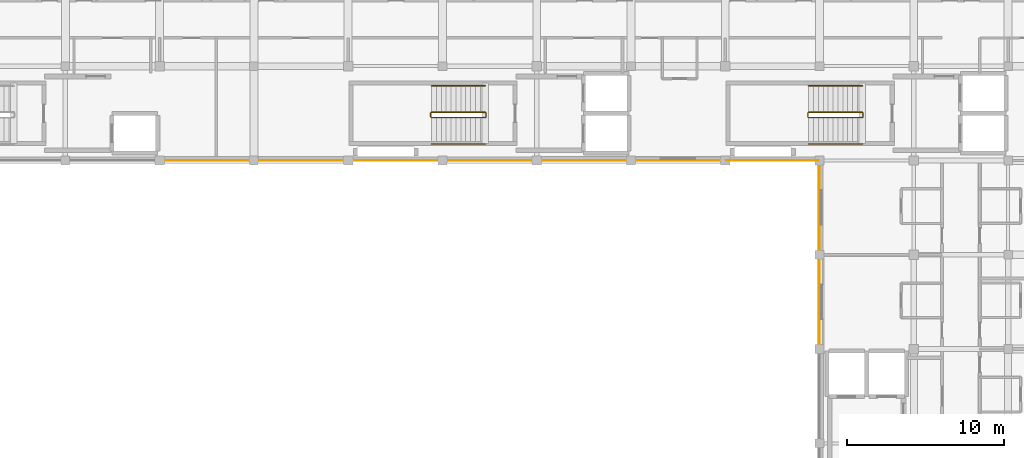
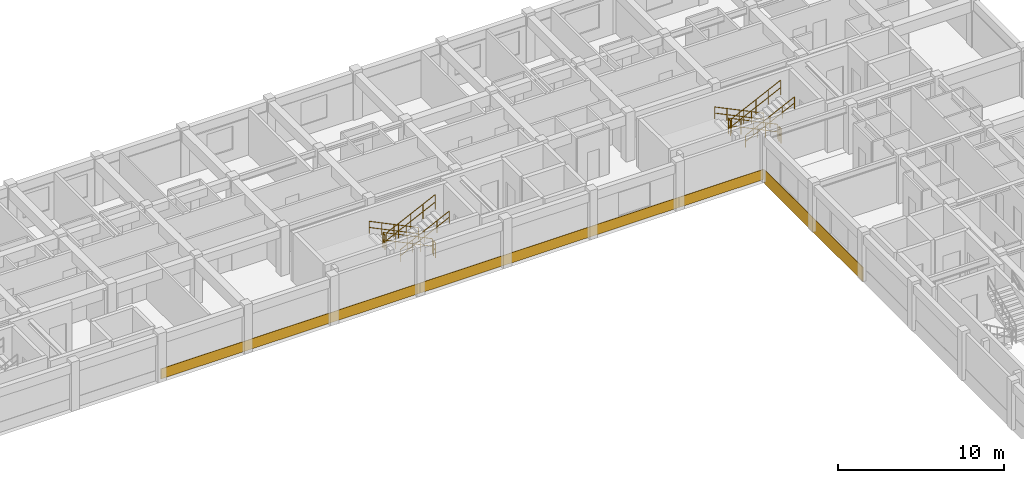
# One storey, part 24 of 25: 12 railings, 4 coverings.
"""IFC4 building model written with IfcOpenShell, lengths in metres."""

from ifc_helpers import new_model, si_unit, direction, frame, origin, origin_2d, place, context, subcontext, project, spatial, polyline, circle, outline, extrude, material, layer, layer_set, type_object, element, save


model = new_model("IFC4")

# Units and contexts
model_context = context("Model", 3, precision=1e-05, world=origin(), true_north=direction((0.0, 1.0)))
body_context = subcontext(model_context, "Body", "Model", "MODEL_VIEW")
ifc_project = project(units=[si_unit("LENGTHUNIT", "METRE"), si_unit("AREAUNIT", "SQUARE_METRE"), si_unit("VOLUMEUNIT", "CUBIC_METRE"), si_unit("PLANEANGLEUNIT", "RADIAN"), si_unit("MASSUNIT", "GRAM", prefix="KILO"), si_unit("THERMODYNAMICTEMPERATUREUNIT", "KELVIN"), si_unit("POWERUNIT", "WATT")], contexts=[model_context])

# Site, building, storey
site_placement = place(None, origin())
site = spatial("IfcSite", under=ifc_project, at=site_placement, CompositionType="ELEMENT")
building_placement = place(site_placement, origin())
building = spatial("IfcBuilding", under=site, at=building_placement, Name="Phaisarnlok Congress Hotel", CompositionType="ELEMENT")
storey_placement = place(building_placement, frame((0.0, 0.0, 24.60009765625)))
storey = spatial("IfcBuildingStorey", under=building, at=storey_placement, Name="L05", CompositionType="ELEMENT", Elevation=24.60009765625)

# Coverings
ifc_material_1 = material(Name="Anodised Silver Aluminium Alloy 6063-T6", Category="aluminium")
ifc_layer = layer(ifc_material_1, 0.031982421875, Name="Anodised Silver Aluminium Alloy 6063-T6")
ifc_layer_set = layer_set([ifc_layer], Name="Anodised Silver Aluminium Alloy 6063-T6")
covering_type = type_object("IfcCoveringType", Name="COV-SPAND-ALU", PredefinedType="CLADDING", material=ifc_layer_set)
for number, where, z_axis, x_axis, name in (
    (1, (120.06005859375, 108.0048828125, 0.02001953125), (0.0, -1.0, 0.0), (1.0, 0.0, 0.0), "Swiss minimalist anodised silver rainscreen band CL-02 (L05 S)"),
    (2, (138.06005859375, 108.0048828125, 0.02001953125), (0.0, -1.0, 0.0), (1.0, 0.0, 0.0), "Swiss minimalist anodised silver rainscreen band CL-02 (L05 S)"),
):
    element("IfcCovering", number, at=place(storey_placement, frame(where, z_axis=z_axis, x_axis=x_axis)), inside=storey, type_object=covering_type, Name=name, PredefinedType="CLADDING", context=body_context, shape_type="SweptSolid", body=[
        extrude(outline(polyline([(0.0, 0.0), (18.0, 0.0), (18.0, 0.75), (0.0, 0.75), (0.0, 0.0)])), origin(), (0.0, 0.0, 1.0), 0.031982421875),
    ])
covering_1_placement = place(storey_placement, frame((156.06005859375, 108.0048828125, 0.02001953125), z_axis=(0.0, -1.0, 0.0), x_axis=(1.0, 0.0, 0.0)))
element("IfcCovering", 3, at=covering_1_placement, inside=storey, type_object=covering_type, Name="Swiss minimalist anodised silver rainscreen band CL-02 (L05 S)", PredefinedType="CLADDING", context=body_context, shape_type="SweptSolid", body=[
    extrude(outline(polyline([(0.0, 0.0), (5.8798828125, 0.0), (5.8798828125, 0.75), (0.0, 0.75), (0.0, 0.0)])), origin(), (0.0, 0.0, 1.0), 0.031982421875),
])
covering_2_placement = place(storey_placement, frame((162.0048828125, 107.93994140625, -0.280029296875), z_axis=(-1.0, 0.0, 0.0), x_axis=(0.0, -1.0, 0.0)))
element("IfcCovering", 4, at=covering_2_placement, inside=storey, type_object=covering_type, Name="Swiss minimalist anodised silver rainscreen band CL-02 (L05 W)", PredefinedType="CLADDING", context=body_context, shape_type="SweptSolid", body=[
    extrude(outline(polyline([(0.0, 0.0), (11.8798828125, 0.0), (11.8798828125, 1.050048828125), (0.0, 1.050048828125), (0.0, 0.0)])), origin(), (0.0, 0.0, 1.0), 0.031982421875),
])

# Railings
ifc_material_2 = material(Name="Painted Galvanised Steel S275", Category="steel")
railing_type_1 = type_object("IfcRailingType", Name="RLG-STR-GUARD", PredefinedType="BALUSTRADE", material=ifc_material_2)
railing_1_placement = place(storey_placement, frame((164.719970703125, 111.070068359375, 0.14990234375)))
element("IfcRailing", 5, at=railing_1_placement, inside=storey, type_object=railing_type_1, Name="L05 ST-05 stair guard 1", PredefinedType="BALUSTRADE", context=body_context, shape_type="SweptSolid", body=[
    extrude(circle(Radius=0.02392578125, at=origin_2d()), frame((0.0, 0.0, 1.076171875), z_axis=(-0.900164957231, 0.0, 0.435549135889), x_axis=(0.0, -1.0, 0.0)), (0.0, 0.0, 1.0), 3.7880859375),
    extrude(circle(Radius=0.02392578125, at=origin_2d()), frame((0.0, 0.0, 0.52587890625), z_axis=(-0.900164957231, 0.0, 0.435549135889), x_axis=(0.0, -1.0, 0.0)), (0.0, 0.0, 1.0), 3.7880859375),
    extrude(circle(Radius=0.02099609375, at=origin_2d()), origin(), (0.0, 0.0, 1.0), 1.052001953125),
    extrude(circle(Radius=0.02099609375, at=origin_2d()), frame((-0.8525390625, 0.0, 0.41259765625)), (0.0, 0.0, 1.0), 1.052001953125),
    extrude(circle(Radius=0.02099609375, at=origin_2d()), frame((-1.705078125, 0.0, 0.824951171875)), (0.0, 0.0, 1.0), 1.052001953125),
    extrude(circle(Radius=0.02099609375, at=origin_2d()), frame((-2.557373046875, 0.0, 1.2373046875)), (0.0, 0.0, 1.0), 1.052001953125),
    extrude(circle(Radius=0.02099609375, at=origin_2d()), frame((-3.409912109375, 0.0, 1.64990234375)), (0.0, 0.0, 1.0), 1.052001953125),
])
railing_2_placement = place(storey_placement, frame((161.260009765625, 111.02001953125, 1.7998046875)))
element("IfcRailing", 6, at=railing_2_placement, inside=storey, type_object=railing_type_1, Name="L05 ST-05 stair guard 2", PredefinedType="BALUSTRADE", context=body_context, shape_type="SweptSolid", body=[
    extrude(circle(Radius=0.02392578125, at=origin_2d()), frame((0.0, 0.0, 1.076171875), z_axis=(0.0, -1.0, 0.0), x_axis=(1.0, 0.0, 0.0)), (0.0, 0.0, 1.0), 0.239990234375),
    extrude(circle(Radius=0.02392578125, at=origin_2d()), frame((0.0, 0.0, 0.52587890625), z_axis=(0.0, -1.0, 0.0), x_axis=(1.0, 0.0, 0.0)), (0.0, 0.0, 1.0), 0.239990234375),
    extrude(circle(Radius=0.02099609375, at=origin_2d()), origin(), (0.0, 0.0, 1.0), 1.052001953125),
    extrude(circle(Radius=0.02099609375, at=origin_2d()), frame((0.0, -0.239990234375, 0.0)), (0.0, 0.0, 1.0), 1.052001953125),
])
railing_3_placement = place(storey_placement, frame((161.31005859375, 110.72998046875, 1.949951171875)))
element("IfcRailing", 7, at=railing_3_placement, inside=storey, type_object=railing_type_1, Name="L05 ST-05 stair guard 3", PredefinedType="BALUSTRADE", context=body_context, shape_type="SweptSolid", body=[
    extrude(circle(Radius=0.02392578125, at=origin_2d()), frame((0.0, 0.0, 1.076171875), z_axis=(0.900164957231, 0.0, 0.435549135889), x_axis=(0.0, 1.0, 0.0)), (0.0, 0.0, 1.0), 3.7880859375),
    extrude(circle(Radius=0.02392578125, at=origin_2d()), frame((0.0, 0.0, 0.52587890625), z_axis=(0.900164957231, 0.0, 0.435549135889), x_axis=(0.0, 1.0, 0.0)), (0.0, 0.0, 1.0), 3.7880859375),
    extrude(circle(Radius=0.02099609375, at=origin_2d()), origin(), (0.0, 0.0, 1.0), 1.052001953125),
    extrude(circle(Radius=0.02099609375, at=origin_2d()), frame((0.8525390625, 0.0, 0.41259765625)), (0.0, 0.0, 1.0), 1.052001953125),
    extrude(circle(Radius=0.02099609375, at=origin_2d()), frame((1.705078125, 0.0, 0.824951171875)), (0.0, 0.0, 1.0), 1.052001953125),
    extrude(circle(Radius=0.02099609375, at=origin_2d()), frame((2.557373046875, 0.0, 1.2373046875)), (0.0, 0.0, 1.0), 1.052001953125),
    extrude(circle(Radius=0.02099609375, at=origin_2d()), frame((3.409912109375, 0.0, 1.64990234375)), (0.0, 0.0, 1.0), 1.052001953125),
])
railing_4_placement = place(storey_placement, frame((164.77001953125, 111.02001953125, 0.0)))
element("IfcRailing", 8, at=railing_4_placement, inside=storey, type_object=railing_type_1, Name="L05 ST-05 stair guard 4", PredefinedType="BALUSTRADE", context=body_context, shape_type="SweptSolid", body=[
    extrude(circle(Radius=0.02392578125, at=origin_2d()), frame((0.0, 0.0, 1.076171875), z_axis=(0.0, -1.0, 0.0), x_axis=(1.0, 0.0, 0.0)), (0.0, 0.0, 1.0), 0.239990234375),
    extrude(circle(Radius=0.02392578125, at=origin_2d()), frame((0.0, 0.0, 0.52587890625), z_axis=(0.0, -1.0, 0.0), x_axis=(1.0, 0.0, 0.0)), (0.0, 0.0, 1.0), 0.239990234375),
    extrude(circle(Radius=0.02099609375, at=origin_2d()), origin(), (0.0, 0.0, 1.0), 1.052001953125),
    extrude(circle(Radius=0.02099609375, at=origin_2d()), frame((0.0, -0.239990234375, 0.0)), (0.0, 0.0, 1.0), 1.052001953125),
])
railing_5_placement = place(storey_placement, frame((140.719970703125, 111.070068359375, 0.14990234375)))
element("IfcRailing", 9, at=railing_5_placement, inside=storey, type_object=railing_type_1, Name="L05 ST-06 stair guard 1", PredefinedType="BALUSTRADE", context=body_context, shape_type="SweptSolid", body=[
    extrude(circle(Radius=0.02392578125, at=origin_2d()), frame((0.0, 0.0, 1.076171875), z_axis=(-0.900164957231, 0.0, 0.435549135889), x_axis=(0.0, -1.0, 0.0)), (0.0, 0.0, 1.0), 3.7880859375),
    extrude(circle(Radius=0.02392578125, at=origin_2d()), frame((0.0, 0.0, 0.52587890625), z_axis=(-0.900164957231, 0.0, 0.435549135889), x_axis=(0.0, -1.0, 0.0)), (0.0, 0.0, 1.0), 3.7880859375),
    extrude(circle(Radius=0.02099609375, at=origin_2d()), origin(), (0.0, 0.0, 1.0), 1.052001953125),
    extrude(circle(Radius=0.02099609375, at=origin_2d()), frame((-0.8525390625, 0.0, 0.41259765625)), (0.0, 0.0, 1.0), 1.052001953125),
    extrude(circle(Radius=0.02099609375, at=origin_2d()), frame((-1.705078125, 0.0, 0.824951171875)), (0.0, 0.0, 1.0), 1.052001953125),
    extrude(circle(Radius=0.02099609375, at=origin_2d()), frame((-2.557373046875, 0.0, 1.2373046875)), (0.0, 0.0, 1.0), 1.052001953125),
    extrude(circle(Radius=0.02099609375, at=origin_2d()), frame((-3.409912109375, 0.0, 1.64990234375)), (0.0, 0.0, 1.0), 1.052001953125),
])
railing_6_placement = place(storey_placement, frame((137.260009765625, 111.02001953125, 1.7998046875)))
element("IfcRailing", 10, at=railing_6_placement, inside=storey, type_object=railing_type_1, Name="L05 ST-06 stair guard 2", PredefinedType="BALUSTRADE", context=body_context, shape_type="SweptSolid", body=[
    extrude(circle(Radius=0.02392578125, at=origin_2d()), frame((0.0, 0.0, 1.076171875), z_axis=(0.0, -1.0, 0.0), x_axis=(1.0, 0.0, 0.0)), (0.0, 0.0, 1.0), 0.239990234375),
    extrude(circle(Radius=0.02392578125, at=origin_2d()), frame((0.0, 0.0, 0.52587890625), z_axis=(0.0, -1.0, 0.0), x_axis=(1.0, 0.0, 0.0)), (0.0, 0.0, 1.0), 0.239990234375),
    extrude(circle(Radius=0.02099609375, at=origin_2d()), origin(), (0.0, 0.0, 1.0), 1.052001953125),
    extrude(circle(Radius=0.02099609375, at=origin_2d()), frame((0.0, -0.239990234375, 0.0)), (0.0, 0.0, 1.0), 1.052001953125),
])
railing_7_placement = place(storey_placement, frame((137.31005859375, 110.72998046875, 1.949951171875)))
element("IfcRailing", 11, at=railing_7_placement, inside=storey, type_object=railing_type_1, Name="L05 ST-06 stair guard 3", PredefinedType="BALUSTRADE", context=body_context, shape_type="SweptSolid", body=[
    extrude(circle(Radius=0.02392578125, at=origin_2d()), frame((0.0, 0.0, 1.076171875), z_axis=(0.900164957231, 0.0, 0.435549135889), x_axis=(0.0, 1.0, 0.0)), (0.0, 0.0, 1.0), 3.7880859375),
    extrude(circle(Radius=0.02392578125, at=origin_2d()), frame((0.0, 0.0, 0.52587890625), z_axis=(0.900164957231, 0.0, 0.435549135889), x_axis=(0.0, 1.0, 0.0)), (0.0, 0.0, 1.0), 3.7880859375),
    extrude(circle(Radius=0.02099609375, at=origin_2d()), origin(), (0.0, 0.0, 1.0), 1.052001953125),
    extrude(circle(Radius=0.02099609375, at=origin_2d()), frame((0.8525390625, 0.0, 0.41259765625)), (0.0, 0.0, 1.0), 1.052001953125),
    extrude(circle(Radius=0.02099609375, at=origin_2d()), frame((1.705078125, 0.0, 0.824951171875)), (0.0, 0.0, 1.0), 1.052001953125),
    extrude(circle(Radius=0.02099609375, at=origin_2d()), frame((2.557373046875, 0.0, 1.2373046875)), (0.0, 0.0, 1.0), 1.052001953125),
    extrude(circle(Radius=0.02099609375, at=origin_2d()), frame((3.409912109375, 0.0, 1.64990234375)), (0.0, 0.0, 1.0), 1.052001953125),
])
railing_8_placement = place(storey_placement, frame((140.77001953125, 111.02001953125, 0.0)))
element("IfcRailing", 12, at=railing_8_placement, inside=storey, type_object=railing_type_1, Name="L05 ST-06 stair guard 4", PredefinedType="BALUSTRADE", context=body_context, shape_type="SweptSolid", body=[
    extrude(circle(Radius=0.02392578125, at=origin_2d()), frame((0.0, 0.0, 1.076171875), z_axis=(0.0, -1.0, 0.0), x_axis=(1.0, 0.0, 0.0)), (0.0, 0.0, 1.0), 0.239990234375),
    extrude(circle(Radius=0.02392578125, at=origin_2d()), frame((0.0, 0.0, 0.52587890625), z_axis=(0.0, -1.0, 0.0), x_axis=(1.0, 0.0, 0.0)), (0.0, 0.0, 1.0), 0.239990234375),
    extrude(circle(Radius=0.02099609375, at=origin_2d()), origin(), (0.0, 0.0, 1.0), 1.052001953125),
    extrude(circle(Radius=0.02099609375, at=origin_2d()), frame((0.0, -0.239990234375, 0.0)), (0.0, 0.0, 1.0), 1.052001953125),
])
ifc_material_3 = material(Name="Brushed Stainless Steel Grade 304", Category="steel")
railing_type_2 = type_object("IfcRailingType", Name="RLG-STR-HRAIL", PredefinedType="HANDRAIL", material=ifc_material_3)
railing_9_placement = place(storey_placement, frame((164.719970703125, 112.75, 0.14990234375)))
element("IfcRailing", 13, at=railing_9_placement, inside=storey, type_object=railing_type_2, Name="L05 ST-05 stair handrail 1", PredefinedType="HANDRAIL", context=body_context, shape_type="SweptSolid", body=[
    extrude(circle(Radius=0.02392578125, at=origin_2d()), frame((0.0, 0.0, 0.8759765625), z_axis=(-0.900164957231, 0.0, 0.435549135889), x_axis=(0.0, -1.0, 0.0)), (0.0, 0.0, 1.0), 3.7880859375),
    extrude(circle(Radius=0.02392578125, at=origin_2d()), frame((0.0, 0.0, 0.42578125), z_axis=(-0.900164957231, 0.0, 0.435549135889), x_axis=(0.0, -1.0, 0.0)), (0.0, 0.0, 1.0), 3.7880859375),
    extrude(circle(Radius=0.02099609375, at=origin_2d()), origin(), (0.0, 0.0, 1.0), 0.851806640625),
    extrude(circle(Radius=0.02099609375, at=origin_2d()), frame((-0.8525390625, 0.0, 0.41259765625)), (0.0, 0.0, 1.0), 0.851806640625),
    extrude(circle(Radius=0.02099609375, at=origin_2d()), frame((-1.705078125, 0.0, 0.824951171875)), (0.0, 0.0, 1.0), 0.851806640625),
    extrude(circle(Radius=0.02099609375, at=origin_2d()), frame((-2.557373046875, 0.0, 1.2373046875)), (0.0, 0.0, 1.0), 0.851806640625),
    extrude(circle(Radius=0.02099609375, at=origin_2d()), frame((-3.409912109375, 0.0, 1.64990234375)), (0.0, 0.0, 1.0), 0.851806640625),
])
railing_10_placement = place(storey_placement, frame((161.31005859375, 109.050048828125, 1.949951171875)))
element("IfcRailing", 14, at=railing_10_placement, inside=storey, type_object=railing_type_2, Name="L05 ST-05 stair handrail 2", PredefinedType="HANDRAIL", context=body_context, shape_type="SweptSolid", body=[
    extrude(circle(Radius=0.02392578125, at=origin_2d()), frame((0.0, 0.0, 0.8759765625), z_axis=(0.900164957231, 0.0, 0.435549135889), x_axis=(0.0, 1.0, 0.0)), (0.0, 0.0, 1.0), 3.7880859375),
    extrude(circle(Radius=0.02392578125, at=origin_2d()), frame((0.0, 0.0, 0.42578125), z_axis=(0.900164957231, 0.0, 0.435549135889), x_axis=(0.0, 1.0, 0.0)), (0.0, 0.0, 1.0), 3.7880859375),
    extrude(circle(Radius=0.02099609375, at=origin_2d()), origin(), (0.0, 0.0, 1.0), 0.851806640625),
    extrude(circle(Radius=0.02099609375, at=origin_2d()), frame((0.8525390625, 0.0, 0.41259765625)), (0.0, 0.0, 1.0), 0.851806640625),
    extrude(circle(Radius=0.02099609375, at=origin_2d()), frame((1.705078125, 0.0, 0.824951171875)), (0.0, 0.0, 1.0), 0.851806640625),
    extrude(circle(Radius=0.02099609375, at=origin_2d()), frame((2.557373046875, 0.0, 1.2373046875)), (0.0, 0.0, 1.0), 0.851806640625),
    extrude(circle(Radius=0.02099609375, at=origin_2d()), frame((3.409912109375, 0.0, 1.64990234375)), (0.0, 0.0, 1.0), 0.851806640625),
])
railing_11_placement = place(storey_placement, frame((140.719970703125, 112.75, 0.14990234375)))
element("IfcRailing", 15, at=railing_11_placement, inside=storey, type_object=railing_type_2, Name="L05 ST-06 stair handrail 1", PredefinedType="HANDRAIL", context=body_context, shape_type="SweptSolid", body=[
    extrude(circle(Radius=0.02392578125, at=origin_2d()), frame((0.0, 0.0, 0.8759765625), z_axis=(-0.900164957231, 0.0, 0.435549135889), x_axis=(0.0, -1.0, 0.0)), (0.0, 0.0, 1.0), 3.7880859375),
    extrude(circle(Radius=0.02392578125, at=origin_2d()), frame((0.0, 0.0, 0.42578125), z_axis=(-0.900164957231, 0.0, 0.435549135889), x_axis=(0.0, -1.0, 0.0)), (0.0, 0.0, 1.0), 3.7880859375),
    extrude(circle(Radius=0.02099609375, at=origin_2d()), origin(), (0.0, 0.0, 1.0), 0.851806640625),
    extrude(circle(Radius=0.02099609375, at=origin_2d()), frame((-0.8525390625, 0.0, 0.41259765625)), (0.0, 0.0, 1.0), 0.851806640625),
    extrude(circle(Radius=0.02099609375, at=origin_2d()), frame((-1.705078125, 0.0, 0.824951171875)), (0.0, 0.0, 1.0), 0.851806640625),
    extrude(circle(Radius=0.02099609375, at=origin_2d()), frame((-2.557373046875, 0.0, 1.2373046875)), (0.0, 0.0, 1.0), 0.851806640625),
    extrude(circle(Radius=0.02099609375, at=origin_2d()), frame((-3.409912109375, 0.0, 1.64990234375)), (0.0, 0.0, 1.0), 0.851806640625),
])
railing_12_placement = place(storey_placement, frame((137.31005859375, 109.050048828125, 1.949951171875)))
element("IfcRailing", 16, at=railing_12_placement, inside=storey, type_object=railing_type_2, Name="L05 ST-06 stair handrail 2", PredefinedType="HANDRAIL", context=body_context, shape_type="SweptSolid", body=[
    extrude(circle(Radius=0.02392578125, at=origin_2d()), frame((0.0, 0.0, 0.8759765625), z_axis=(0.900164957231, 0.0, 0.435549135889), x_axis=(0.0, 1.0, 0.0)), (0.0, 0.0, 1.0), 3.7880859375),
    extrude(circle(Radius=0.02392578125, at=origin_2d()), frame((0.0, 0.0, 0.42578125), z_axis=(0.900164957231, 0.0, 0.435549135889), x_axis=(0.0, 1.0, 0.0)), (0.0, 0.0, 1.0), 3.7880859375),
    extrude(circle(Radius=0.02099609375, at=origin_2d()), origin(), (0.0, 0.0, 1.0), 0.851806640625),
    extrude(circle(Radius=0.02099609375, at=origin_2d()), frame((0.8525390625, 0.0, 0.41259765625)), (0.0, 0.0, 1.0), 0.851806640625),
    extrude(circle(Radius=0.02099609375, at=origin_2d()), frame((1.705078125, 0.0, 0.824951171875)), (0.0, 0.0, 1.0), 0.851806640625),
    extrude(circle(Radius=0.02099609375, at=origin_2d()), frame((2.557373046875, 0.0, 1.2373046875)), (0.0, 0.0, 1.0), 0.851806640625),
    extrude(circle(Radius=0.02099609375, at=origin_2d()), frame((3.409912109375, 0.0, 1.64990234375)), (0.0, 0.0, 1.0), 0.851806640625),
])

save(model, "model.ifc")
